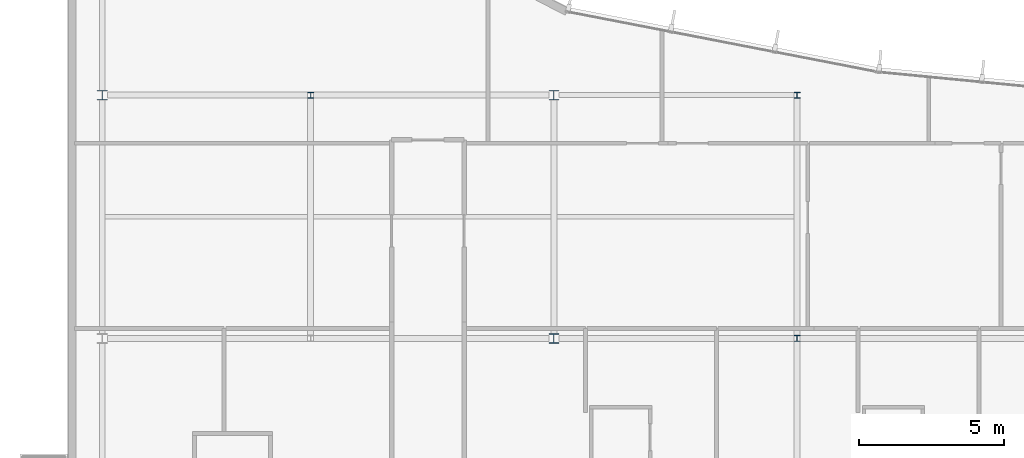
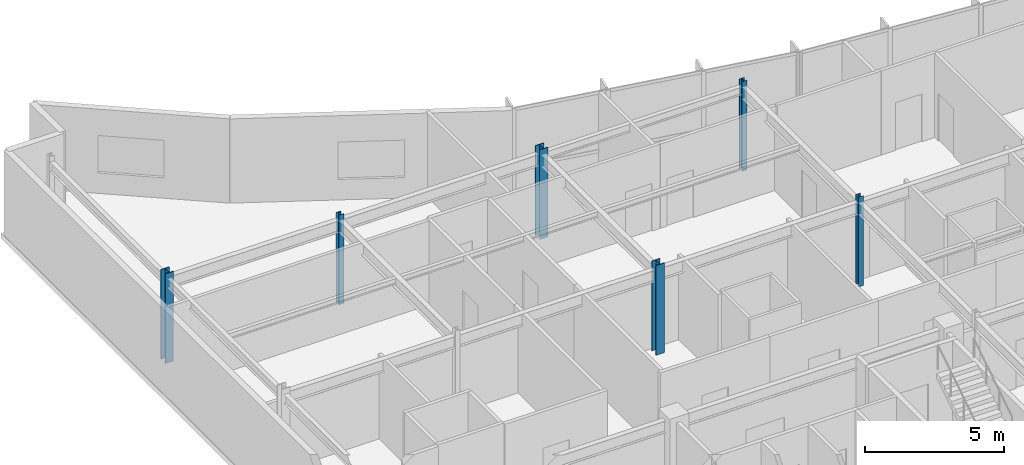
# One storey, part 2 of 16: 6 columns.
"""IFC4 building model written with IfcOpenShell, lengths in metres."""

from ifc_helpers import new_model, si_unit, direction, frame, origin, origin_2d, place, context, subcontext, project, spatial, i_section, extrude, material, material_profile, profile_set, type_object, element, save


model = new_model("IFC4")

# Units and contexts
model_context = context("Model", 3, precision=1e-05, world=origin(), true_north=direction((0.0, 1.0)))
body_context = subcontext(model_context, "Body", "Model", "MODEL_VIEW")
ifc_project = project(units=[si_unit("LENGTHUNIT", "METRE"), si_unit("AREAUNIT", "SQUARE_METRE"), si_unit("VOLUMEUNIT", "CUBIC_METRE"), si_unit("PLANEANGLEUNIT", "RADIAN"), si_unit("MASSUNIT", "GRAM", prefix="KILO")], contexts=[model_context])

# Site, building, storey
site_placement = place(None, origin())
site = spatial("IfcSite", under=ifc_project, at=site_placement, CompositionType="ELEMENT")
building_placement = place(site_placement, origin())
building = spatial("IfcBuilding", under=site, at=building_placement, Name="Varnakote Quay Hospital", CompositionType="ELEMENT")
storey_placement = place(building_placement, frame((0.0, 0.0, 280.25)))
storey = spatial("IfcBuildingStorey", under=building, at=storey_placement, Name="L69", CompositionType="ELEMENT", Elevation=280.25)

# Columns
ifc_material_1 = material(Name="Structural steel AS/NZS 3679.1 Grade 350 L0 (fy 340 MPa)", Category="steel")
ifc_material_profile_1 = material_profile(ifc_material_1, i_section(OverallWidth=0.205078125, OverallDepth=0.2099609375, WebThickness=0.00927734375, FlangeThickness=0.01416015625, FilletRadius=0.011474609375, at=origin_2d()), Name="200UC59.5")
ifc_profile_set_1 = profile_set([ifc_material_profile_1], Name="Structural steel AS/NZS 3679.1 Grade 350 L0 (fy 340 MPa)")
column_type_1 = type_object("IfcColumnType", Name="COL-STL-200UC59-5", PredefinedType="COLUMN", material=ifc_profile_set_1)
for number, where, z_axis, x_axis, name in (
    (1, (25.199951171875, 20.39990234375, 0.0), (0.0, 0.0, 1.0), (1.0, 0.0, 0.0), "L69 Structural Column C-25-20"),
    (2, (8.39990234375, 28.800048828125, 0.0), (0.0, 0.0, 1.0), (1.0, 0.0, 0.0), "L69 Structural Column C-8-29"),
    (3, (25.199951171875, 28.800048828125, 0.0), (0.0, 0.0, 1.0), (1.0, 0.0, 0.0), "L69 Structural Column C-25-29"),
):
    element("IfcColumn", number, at=place(storey_placement, frame(where, z_axis=z_axis, x_axis=x_axis)), inside=storey, type_object=column_type_1, Name=name, PredefinedType="COLUMN", context=body_context, shape_type="SweptSolid", body=[
        extrude(i_section(OverallWidth=0.205078125, OverallDepth=0.2099609375, WebThickness=0.00927734375, FlangeThickness=0.01416015625, FilletRadius=0.011474609375, at=origin_2d()), origin(), (0.0, 0.0, 1.0), 3.949951171875),
    ])
ifc_material_2 = material(Name="Structural steel AS/NZS 3678 Grade 350 (fy 340 MPa)", Category="steel")
ifc_material_profile_2 = material_profile(ifc_material_2, i_section(OverallWidth=0.35009765625, OverallDepth=0.340087890625, WebThickness=0.01611328125, FlangeThickness=0.028076171875, at=origin_2d()), Name="350WC197")
ifc_profile_set_2 = profile_set([ifc_material_profile_2], Name="Structural steel AS/NZS 3678 Grade 350 (fy 340 MPa)")
column_type_2 = type_object("IfcColumnType", Name="COL-STL-350WC197", PredefinedType="COLUMN", material=ifc_profile_set_2)
for number, where, z_axis, x_axis, name in (
    (4, (16.800048828125, 20.39990234375, 0.0), (0.0, 0.0, 1.0), (1.0, 0.0, 0.0), "L69 Structural Column C-17-20"),
    (5, (1.199951171875, 28.800048828125, 0.0), (0.0, 0.0, 1.0), (1.0, 0.0, 0.0), "L69 Structural Column C-1-29"),
    (6, (16.800048828125, 28.800048828125, 0.0), (0.0, 0.0, 1.0), (1.0, 0.0, 0.0), "L69 Structural Column C-17-29"),
):
    element("IfcColumn", number, at=place(storey_placement, frame(where, z_axis=z_axis, x_axis=x_axis)), inside=storey, type_object=column_type_2, Name=name, PredefinedType="COLUMN", context=body_context, shape_type="SweptSolid", body=[
        extrude(i_section(OverallWidth=0.35009765625, OverallDepth=0.340087890625, WebThickness=0.01611328125, FlangeThickness=0.028076171875, at=origin_2d()), origin(), (0.0, 0.0, 1.0), 3.949951171875),
    ])

save(model, "model.ifc")
